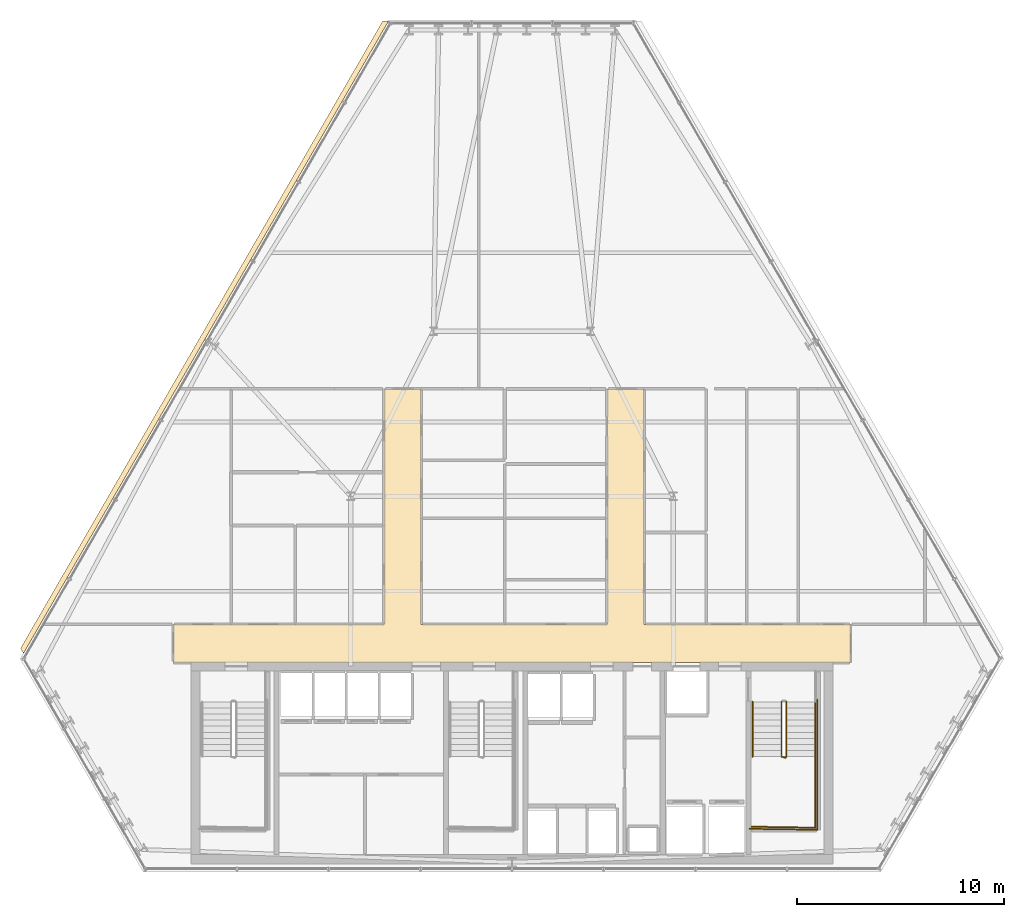
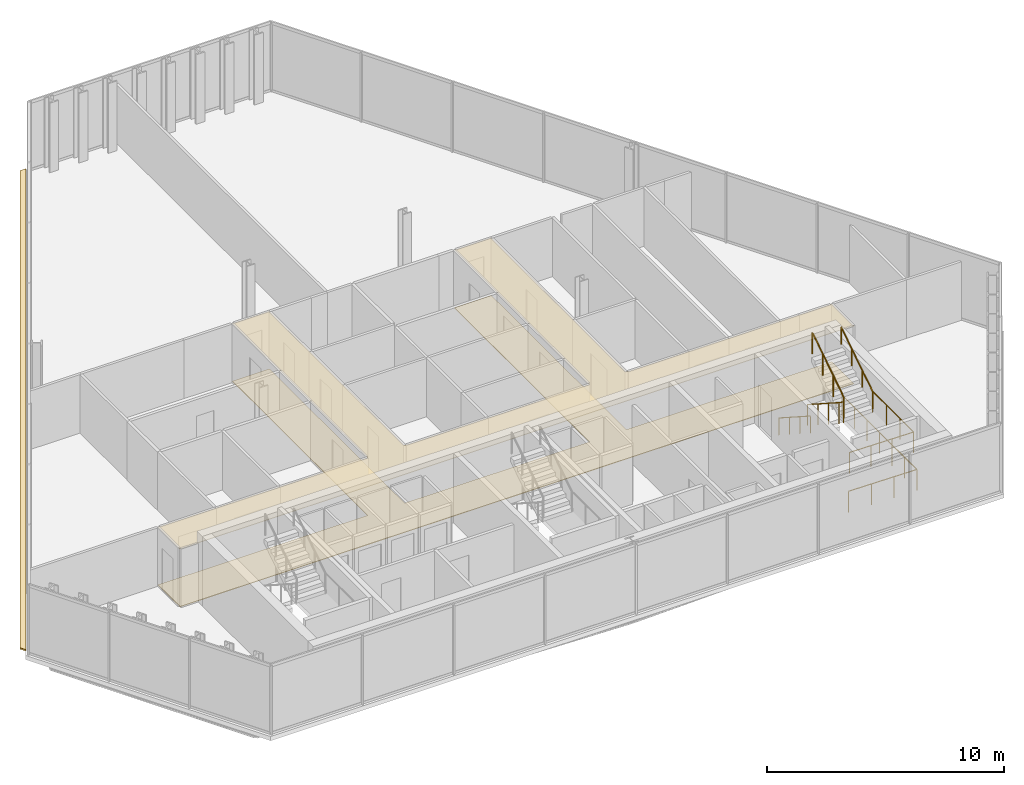
# One storey, part 30 of 31: 6 railings, 3 coverings.
"""IFC4 building model written with IfcOpenShell, lengths in metres."""

from ifc_helpers import new_model, si_unit, direction, frame, origin, origin_2d, place, context, subcontext, project, spatial, polyline, circle, outline, extrude, material, layer, layer_set, type_object, element, save


model = new_model("IFC4")

# Units and contexts
model_context = context("Model", 3, precision=1e-05, world=origin(), true_north=direction((0.0, 1.0)))
body_context = subcontext(model_context, "Body", "Model", "MODEL_VIEW")
ifc_project = project(units=[si_unit("LENGTHUNIT", "METRE"), si_unit("AREAUNIT", "SQUARE_METRE"), si_unit("VOLUMEUNIT", "CUBIC_METRE"), si_unit("PLANEANGLEUNIT", "RADIAN"), si_unit("MASSUNIT", "GRAM", prefix="KILO")], contexts=[model_context])

# Site, building, storey
site_placement = place(None, origin())
site = spatial("IfcSite", under=ifc_project, at=site_placement, CompositionType="ELEMENT")
building_placement = place(site_placement, origin())
building = spatial("IfcBuilding", under=site, at=building_placement, Name="Ndaravel Arena Tower", CompositionType="ELEMENT")
storey_placement = place(building_placement, frame((0.0, 0.0, 138.39990234375)))
storey = spatial("IfcBuildingStorey", under=building, at=storey_placement, Name="L32", CompositionType="ELEMENT", Elevation=138.39990234375)

# Coverings
ifc_material_1 = material(Name="Acoustic Ceiling Tile", Category="finish")
ifc_layer_1 = layer(ifc_material_1, 0.02490234375)
ifc_layer_set_1 = layer_set([ifc_layer_1], Name="Acoustic Ceiling Tile")
covering_type_1 = type_object("IfcCoveringType", Name="COV-CEIL-AC600", PredefinedType="CEILING", material=ifc_layer_set_1)
covering_1_placement = place(storey_placement, frame((0.0, 0.0, 2.980712890625)))
element("IfcCovering", 1, at=covering_1_placement, inside=storey, type_object=covering_type_1, Name="L32 Corridor Acoustic Ceiling", PredefinedType="CEILING", context=body_context, shape_type="SweptSolid", body=[
    extrude(outline(polyline([(58.39990234375, 17.0), (48.39990234375, 17.0), (48.39990234375, 28.39990234375), (46.60009765625, 28.39990234375), (46.60009765625, 17.0), (37.60009765625, 17.0), (37.60009765625, 28.39990234375), (35.800048828125, 28.39990234375), (35.800048828125, 17.0), (25.60009765625, 17.0), (25.60009765625, 15.14990234375), (58.39990234375, 15.14990234375), (58.39990234375, 17.0)])), origin(), (0.0, 0.0, 1.0), 0.02490234375),
])
ifc_material_2 = material(Name="Terrazzo", Category="stone")
ifc_layer_2 = layer(ifc_material_2, 0.030029296875)
ifc_layer_set_2 = layer_set([ifc_layer_2], Name="Terrazzo")
covering_type_2 = type_object("IfcCoveringType", Name="COV-FLOOR-TERRAZZO", PredefinedType="FLOORING", material=ifc_layer_set_2)
covering_2_placement = place(storey_placement, origin())
element("IfcCovering", 2, at=covering_2_placement, inside=storey, type_object=covering_type_2, Name="L32 Corridor Terrazzo Flooring", PredefinedType="FLOORING", context=body_context, shape_type="SweptSolid", body=[
    extrude(outline(polyline([(58.39990234375, 17.0), (48.39990234375, 17.0), (48.39990234375, 28.39990234375), (46.60009765625, 28.39990234375), (46.60009765625, 17.0), (37.60009765625, 17.0), (37.60009765625, 28.39990234375), (35.800048828125, 28.39990234375), (35.800048828125, 17.0), (25.60009765625, 17.0), (25.60009765625, 15.14990234375), (58.39990234375, 15.14990234375), (58.39990234375, 17.0)])), origin(), (0.0, 0.0, 1.0), 0.030029296875),
])
ifc_material_3 = material(Name="Roofing Membrane", Category="finish")
ifc_layer_3 = layer(ifc_material_3, 0.080078125)
ifc_layer_set_3 = layer_set([ifc_layer_3], Name="Roofing Membrane")
covering_type_3 = type_object("IfcCoveringType", Name="COV-ROOF-MEMB", PredefinedType="ROOFING", material=ifc_layer_set_3)
covering_3_placement = place(storey_placement, origin())
element("IfcCovering", 3, at=covering_3_placement, inside=storey, type_object=covering_type_3, Name="L32 Facet Setback Weathering Flashing", PredefinedType="ROOFING", context=body_context, shape_type="SweptSolid", body=[
    extrude(outline(polyline([(18.203857421875, 15.841064453125), (35.740966796875, 46.216064453125), (36.023193359375, 46.216064453125), (18.34521484375, 15.5966796875), (18.203857421875, 15.841064453125)])), origin(), (0.0, 0.0, 1.0), 0.080078125),
])

# Railings
ifc_material_4 = material(Name="Steel S355", Category="steel")
ifc_layer_4 = layer(ifc_material_4, 0.06005859375)
ifc_layer_set_4 = layer_set([ifc_layer_4], Name="Steel S355")
railing_type_1 = type_object("IfcRailingType", Name="RAIL-STAIR-GD1100", PredefinedType="GUARDRAIL", material=ifc_layer_set_4)
railing_1_placement = place(storey_placement, frame((55.050048828125, 13.25, 0.190185546875)))
element("IfcRailing", 4, at=railing_1_placement, inside=storey, type_object=railing_type_1, Name="L32 ST-3 stair guard 1", PredefinedType="GUARDRAIL", context=body_context, shape_type="SweptSolid", body=[
    extrude(circle(Radius=0.02392578125, at=origin_2d()), frame((0.0, 0.0, 1.076171875), z_axis=(0.0, -0.840723540582, 0.54146461409), x_axis=(1.0, 0.0, 0.0)), (0.0, 0.0, 1.0), 3.157958984375),
    extrude(circle(Radius=0.02392578125, at=origin_2d()), frame((0.0, -2.655029296875, 2.7861328125), z_axis=(0.966993988697, -0.254799187253, 0.0), x_axis=(0.254799187253, 0.966993988697, 0.0)), (0.0, 0.0, 1.0), 0.196533203125),
    extrude(circle(Radius=0.02099609375, at=origin_2d()), origin(), (0.0, 0.0, 1.0), 1.052001953125),
    extrude(circle(Radius=0.02099609375, at=origin_2d()), frame((0.0, -0.885009765625, 0.570068359375)), (0.0, 0.0, 1.0), 1.052001953125),
    extrude(circle(Radius=0.02099609375, at=origin_2d()), frame((0.0, -1.77001953125, 1.139892578125)), (0.0, 0.0, 1.0), 1.052001953125),
    extrude(circle(Radius=0.02099609375, at=origin_2d()), frame((0.0, -2.655029296875, 1.7099609375)), (0.0, 0.0, 1.0), 1.052001953125),
    extrude(circle(Radius=0.02099609375, at=origin_2d()), frame((0.18994140625, -2.705078125, 1.7099609375)), (0.0, 0.0, 1.0), 1.052001953125),
])
railing_2_placement = place(storey_placement, frame((56.68994140625, 10.594970703125, 1.900146484375)))
element("IfcRailing", 5, at=railing_2_placement, inside=storey, type_object=railing_type_1, Name="L32 ST-3 stair guard 2", PredefinedType="GUARDRAIL", context=body_context, shape_type="SweptSolid", body=[
    extrude(circle(Radius=0.02392578125, at=origin_2d()), frame((0.0, 0.0, 1.076171875), z_axis=(0.0, -1.0, 0.0), x_axis=(1.0, 0.0, 0.0)), (0.0, 0.0, 1.0), 3.445068359375),
    extrude(circle(Radius=0.02392578125, at=origin_2d()), frame((0.0, -3.445068359375, 1.076171875), z_axis=(-0.999868840623, 0.016195726322, 0.0), x_axis=(-0.016195726322, -0.999868840623, 0.0)), (0.0, 0.0, 1.0), 3.09033203125),
    extrude(circle(Radius=0.02099609375, at=origin_2d()), origin(), (0.0, 0.0, 1.0), 1.052001953125),
    extrude(circle(Radius=0.02099609375, at=origin_2d()), frame((0.0, -1.1484375, 0.0)), (0.0, 0.0, 1.0), 1.052001953125),
    extrude(circle(Radius=0.02099609375, at=origin_2d()), frame((0.0, -2.296630859375, 0.0)), (0.0, 0.0, 1.0), 1.052001953125),
    extrude(circle(Radius=0.02099609375, at=origin_2d()), frame((0.0, -3.445068359375, 0.0)), (0.0, 0.0, 1.0), 1.052001953125),
    extrude(circle(Radius=0.02099609375, at=origin_2d()), frame((-1.030029296875, -3.428466796875, 0.0)), (0.0, 0.0, 1.0), 1.052001953125),
    extrude(circle(Radius=0.02099609375, at=origin_2d()), frame((-2.059814453125, -3.41162109375, 0.0)), (0.0, 0.0, 1.0), 1.052001953125),
    extrude(circle(Radius=0.02099609375, at=origin_2d()), frame((-3.08984375, -3.39501953125, 0.0)), (0.0, 0.0, 1.0), 1.052001953125),
])
railing_3_placement = place(storey_placement, frame((55.2900390625, 10.594970703125, 2.090087890625)))
element("IfcRailing", 6, at=railing_3_placement, inside=storey, type_object=railing_type_1, Name="L32 ST-3 stair guard 3", PredefinedType="GUARDRAIL", context=body_context, shape_type="SweptSolid", body=[
    extrude(circle(Radius=0.02392578125, at=origin_2d()), frame((0.0, 0.0, 1.076171875), z_axis=(0.0, 0.840723540582, 0.54146461409), x_axis=(-1.0, 0.0, 0.0)), (0.0, 0.0, 1.0), 3.157958984375),
    extrude(circle(Radius=0.02099609375, at=origin_2d()), origin(), (0.0, 0.0, 1.0), 1.052001953125),
    extrude(circle(Radius=0.02099609375, at=origin_2d()), frame((0.0, 0.885009765625, 0.570068359375)), (0.0, 0.0, 1.0), 1.052001953125),
    extrude(circle(Radius=0.02099609375, at=origin_2d()), frame((0.0, 1.77001953125, 1.139892578125)), (0.0, 0.0, 1.0), 1.052001953125),
    extrude(circle(Radius=0.02099609375, at=origin_2d()), frame((0.0, 2.655029296875, 1.7099609375)), (0.0, 0.0, 1.0), 1.052001953125),
])
railing_4_placement = place(storey_placement, frame((56.7900390625, 13.35009765625, 0.0)))
element("IfcRailing", 7, at=railing_4_placement, inside=storey, type_object=railing_type_1, Name="L32 ST-3 stair guard 6", PredefinedType="GUARDRAIL", context=body_context, shape_type="SweptSolid", body=[
    extrude(circle(Radius=0.02392578125, at=origin_2d()), frame((0.0, 0.0, 1.076171875), z_axis=(0.0, -1.0, 0.0), x_axis=(1.0, 0.0, 0.0)), (0.0, 0.0, 1.0), 6.300048828125),
    extrude(circle(Radius=0.02392578125, at=origin_2d()), frame((0.0, -6.300048828125, 1.076171875), z_axis=(-0.99988431412, 0.015210469308, 0.0), x_axis=(-0.015210469308, -0.99988431412, 0.0)), (0.0, 0.0, 1.0), 3.29052734375),
    extrude(circle(Radius=0.02099609375, at=origin_2d()), origin(), (0.0, 0.0, 1.0), 1.052001953125),
    extrude(circle(Radius=0.02099609375, at=origin_2d()), frame((0.0, -1.050048828125, 0.0)), (0.0, 0.0, 1.0), 1.052001953125),
    extrude(circle(Radius=0.02099609375, at=origin_2d()), frame((0.0, -2.10009765625, 0.0)), (0.0, 0.0, 1.0), 1.052001953125),
    extrude(circle(Radius=0.02099609375, at=origin_2d()), frame((0.0, -3.14990234375, 0.0)), (0.0, 0.0, 1.0), 1.052001953125),
    extrude(circle(Radius=0.02099609375, at=origin_2d()), frame((0.0, -4.199951171875, 0.0)), (0.0, 0.0, 1.0), 1.052001953125),
    extrude(circle(Radius=0.02099609375, at=origin_2d()), frame((0.0, -5.25, 0.0)), (0.0, 0.0, 1.0), 1.052001953125),
    extrude(circle(Radius=0.02099609375, at=origin_2d()), frame((0.0, -6.300048828125, 0.0)), (0.0, 0.0, 1.0), 1.052001953125),
    extrude(circle(Radius=0.02099609375, at=origin_2d()), frame((-1.0966796875, -6.283447265625, 0.0)), (0.0, 0.0, 1.0), 1.052001953125),
    extrude(circle(Radius=0.02099609375, at=origin_2d()), frame((-2.193359375, -6.2666015625, 0.0)), (0.0, 0.0, 1.0), 1.052001953125),
    extrude(circle(Radius=0.02099609375, at=origin_2d()), frame((-3.2900390625, -6.25, 0.0)), (0.0, 0.0, 1.0), 1.052001953125),
])
ifc_material_5 = material(Name="Steel S355", Category="steel")
ifc_layer_5 = layer(ifc_material_5, 0.050048828125)
ifc_layer_set_5 = layer_set([ifc_layer_5], Name="Steel S355")
railing_type_2 = type_object("IfcRailingType", Name="RAIL-STAIR-HR920", PredefinedType="HANDRAIL", material=ifc_layer_set_5)
railing_5_placement = place(storey_placement, frame((53.64990234375, 13.25, 0.190185546875)))
element("IfcRailing", 8, at=railing_5_placement, inside=storey, type_object=railing_type_2, Name="L32 ST-3 stair handrail 1", PredefinedType="HANDRAIL", context=body_context, shape_type="SweptSolid", body=[
    extrude(circle(Radius=0.02392578125, at=origin_2d()), frame((0.0, 0.0, 0.8759765625), z_axis=(0.0, -0.840723540582, 0.54146461409), x_axis=(1.0, 0.0, 0.0)), (0.0, 0.0, 1.0), 3.157958984375),
    extrude(circle(Radius=0.02099609375, at=origin_2d()), origin(), (0.0, 0.0, 1.0), 0.851806640625),
    extrude(circle(Radius=0.02099609375, at=origin_2d()), frame((0.0, -0.885009765625, 0.570068359375)), (0.0, 0.0, 1.0), 0.851806640625),
    extrude(circle(Radius=0.02099609375, at=origin_2d()), frame((0.0, -1.77001953125, 1.139892578125)), (0.0, 0.0, 1.0), 0.851806640625),
    extrude(circle(Radius=0.02099609375, at=origin_2d()), frame((0.0, -2.655029296875, 1.7099609375)), (0.0, 0.0, 1.0), 0.851806640625),
])
railing_6_placement = place(storey_placement, frame((56.68994140625, 10.594970703125, 2.090087890625)))
element("IfcRailing", 9, at=railing_6_placement, inside=storey, type_object=railing_type_2, Name="L32 ST-3 stair handrail 2", PredefinedType="HANDRAIL", context=body_context, shape_type="SweptSolid", body=[
    extrude(circle(Radius=0.02392578125, at=origin_2d()), frame((0.0, 0.0, 0.8759765625), z_axis=(0.0, 0.840723540582, 0.54146461409), x_axis=(-1.0, 0.0, 0.0)), (0.0, 0.0, 1.0), 3.157958984375),
    extrude(circle(Radius=0.02099609375, at=origin_2d()), origin(), (0.0, 0.0, 1.0), 0.851806640625),
    extrude(circle(Radius=0.02099609375, at=origin_2d()), frame((0.0, 0.885009765625, 0.570068359375)), (0.0, 0.0, 1.0), 0.851806640625),
    extrude(circle(Radius=0.02099609375, at=origin_2d()), frame((0.0, 1.77001953125, 1.139892578125)), (0.0, 0.0, 1.0), 0.851806640625),
    extrude(circle(Radius=0.02099609375, at=origin_2d()), frame((0.0, 2.655029296875, 1.7099609375)), (0.0, 0.0, 1.0), 0.851806640625),
])

save(model, "model.ifc")
